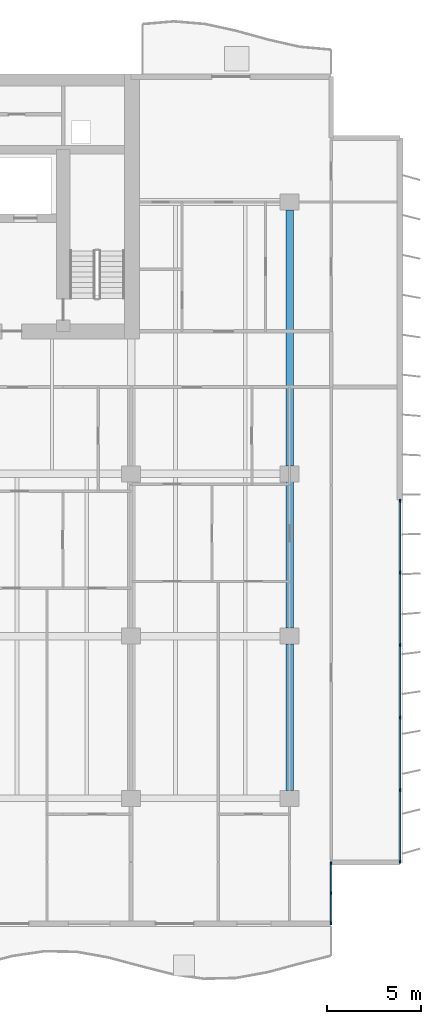
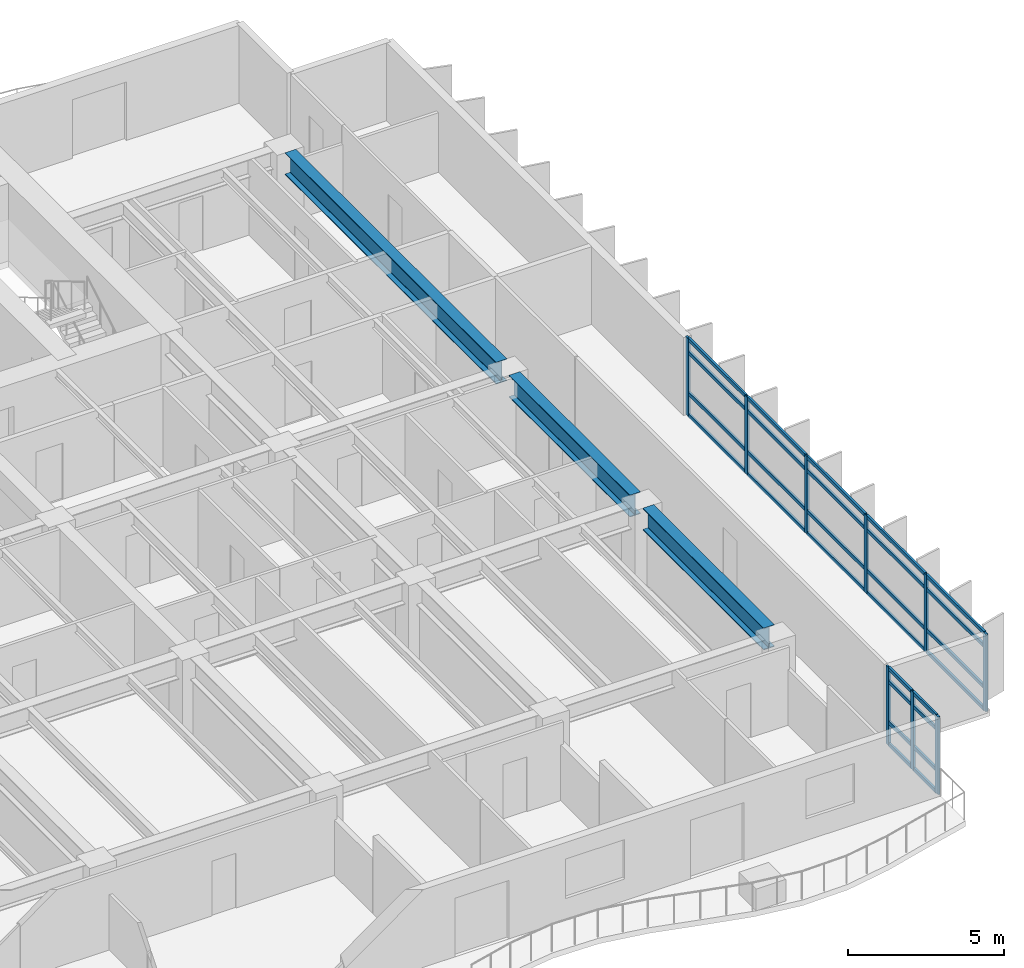
# One storey, part 4 of 15: 37 members, 3 beams, 2 elements without a shape of their own.
"""IFC4 building model written with IfcOpenShell, lengths in metres."""

from ifc_helpers import new_model, si_unit, direction, frame, origin, origin_2d, place, context, subcontext, project, spatial, rectangle, i_section, extrude, material, layer, layer_set, material_profile, profile_set, type_object, element, aggregate, save


model = new_model("IFC4")

# Units and contexts
model_context = context("Model", 3, precision=1e-05, world=origin(), true_north=direction((0.0, 1.0)))
body_context = subcontext(model_context, "Body", "Model", "MODEL_VIEW")
ifc_project = project(units=[si_unit("LENGTHUNIT", "METRE"), si_unit("AREAUNIT", "SQUARE_METRE"), si_unit("VOLUMEUNIT", "CUBIC_METRE"), si_unit("PLANEANGLEUNIT", "RADIAN"), si_unit("MASSUNIT", "GRAM", prefix="KILO")], contexts=[model_context])

# Site, building, storey
site_placement = place(None, origin())
site = spatial("IfcSite", under=ifc_project, at=site_placement, CompositionType="ELEMENT")
building_placement = place(site_placement, origin())
building = spatial("IfcBuilding", under=site, at=building_placement, Name="Caelmar Bay Residences", CompositionType="ELEMENT")
storey_placement = place(building_placement, frame((0.0, 0.0, 138.89990234375)))
storey = spatial("IfcBuildingStorey", under=building, at=storey_placement, Name="L38", CompositionType="ELEMENT", Elevation=138.89990234375)

# Beams
ifc_material_1 = material(Name="Steel ASTM A992 Grade 50", Category="steel")
ifc_material_profile_1 = material_profile(ifc_material_1, i_section(OverallWidth=0.40087890625, OverallDepth=0.861083984375, WebThickness=0.019775390625, FlangeThickness=0.032470703125, FilletRadius=0.017822265625, at=origin_2d()), Name="W33X221")
ifc_profile_set_1 = profile_set([ifc_material_profile_1], Name="Steel ASTM A992 Grade 50")
beam_type = type_object("IfcBeamType", Name="BM-GRD-W33X221", PredefinedType="BEAM", material=ifc_profile_set_1)
for number, where, z_axis, x_axis, name in (
    (1, (67.89990234375, 12.614990234375, 2.61962890625), (0.0, 1.0, 0.0), (-1.0, 0.0, 0.0), "L38 North-South Girder X=67.90 (12.2-20.8)"),
    (2, (67.89990234375, 21.215087890625, 2.61962890625), (0.0, 1.0, 0.0), (-1.0, 0.0, 0.0), "L38 North-South Girder X=67.90 (20.8-29.4)"),
):
    element("IfcBeam", number, at=place(storey_placement, frame(where, z_axis=z_axis, x_axis=x_axis)), inside=storey, type_object=beam_type, Name=name, PredefinedType="BEAM", context=body_context, shape_type="SweptSolid", body=[
        extrude(i_section(OverallWidth=0.40087890625, OverallDepth=0.861083984375, WebThickness=0.019775390625, FlangeThickness=0.032470703125, FilletRadius=0.017822265625, at=origin_2d()), origin(), (0.0, 0.0, 1.0), 7.77001953125),
    ])
beam_placement = place(storey_placement, frame((67.89990234375, 29.81494140625, 2.61962890625), z_axis=(0.0, 1.0, 0.0), x_axis=(-1.0, 0.0, 0.0)))
element("IfcBeam", 3, at=beam_placement, inside=storey, type_object=beam_type, Name="L38 North-South Girder X=67.90 (29.4-43.8)", PredefinedType="BEAM", context=body_context, shape_type="SweptSolid", body=[
    extrude(i_section(OverallWidth=0.40087890625, OverallDepth=0.861083984375, WebThickness=0.019775390625, FlangeThickness=0.032470703125, FilletRadius=0.017822265625, at=origin_2d()), origin(), (0.0, 0.0, 1.0), 13.570068359375),
])

# Curtain wall, members
ifc_material_2 = material(Name="Anodised bronze aluminium 6063-T6 and laminated glass", Category="aluminium")
ifc_layer_1 = layer(ifc_material_2, 0.179931640625)
ifc_layer_set_1 = layer_set([ifc_layer_1], Name="Anodised bronze aluminium 6063-T6 and laminated glass")
curtain_wall_type_1 = type_object("IfcCurtainWallType", Name="CW6-NTC", PredefinedType="NOTDEFINED", material=ifc_layer_set_1)
curtain_wall_1_placement = place(storey_placement, origin())
curtain_wall_1 = element("IfcCurtainWall", 4, at=curtain_wall_1_placement, inside=storey, type_object=curtain_wall_type_1, Name="CW6 curtain wall L38", PredefinedType="NOTDEFINED")
ifc_material_3 = material(Name="Anodised bronze aluminium 6063-T6", Category="aluminium")
ifc_material_profile_2 = material_profile(ifc_material_3, rectangle(XDim=0.080078125, YDim=0.179931640625, at=origin_2d()), Name="CWM-80X180")
ifc_profile_set_2 = profile_set([ifc_material_profile_2], Name="Anodised bronze aluminium 6063-T6")
member_type_1 = type_object("IfcMemberType", Name="CWM-180", PredefinedType="MULLION", material=ifc_profile_set_2)
member_1_placement = place(storey_placement, frame((70.10009765625, 5.590087890625, 0.0), z_axis=(0.0, 0.0, 1.0), x_axis=(-1.0, 0.0, 0.0)))
member_1 = element("IfcMember", 5, at=member_1_placement, type_object=member_type_1, Name="CW6 mullion 1", PredefinedType="MULLION", context=body_context, shape_type="SweptSolid", body=[
    extrude(rectangle(XDim=0.080078125, YDim=0.179931640625, at=origin_2d()), origin(), (0.0, 0.0, 1.0), 3.050048828125),
])
member_2_placement = place(storey_placement, frame((70.10009765625, 7.175048828125, 0.0), z_axis=(0.0, 0.0, 1.0), x_axis=(-1.0, 0.0, 0.0)))
member_2 = element("IfcMember", 6, at=member_2_placement, type_object=member_type_1, Name="CW6 mullion 2", PredefinedType="MULLION", context=body_context, shape_type="SweptSolid", body=[
    extrude(rectangle(XDim=0.080078125, YDim=0.179931640625, at=origin_2d()), origin(), (0.0, 0.0, 1.0), 3.050048828125),
])
member_3_placement = place(storey_placement, frame((70.10009765625, 8.760009765625, 0.0), z_axis=(0.0, 0.0, 1.0), x_axis=(-1.0, 0.0, 0.0)))
member_3 = element("IfcMember", 7, at=member_3_placement, type_object=member_type_1, Name="CW6 mullion 3", PredefinedType="MULLION", context=body_context, shape_type="SweptSolid", body=[
    extrude(rectangle(XDim=0.080078125, YDim=0.179931640625, at=origin_2d()), origin(), (0.0, 0.0, 1.0), 3.050048828125),
])

ifc_layer_2 = layer(ifc_material_2, 0.179931640625)
ifc_layer_set_2 = layer_set([ifc_layer_2], Name="Anodised bronze aluminium 6063-T6 and laminated glass")
curtain_wall_type_2 = type_object("IfcCurtainWallType", Name="CW3-Z2", PredefinedType="NOTDEFINED", material=ifc_layer_set_2)
curtain_wall_2_placement = place(storey_placement, origin())
curtain_wall_2 = element("IfcCurtainWall", 8, at=curtain_wall_2_placement, inside=storey, type_object=curtain_wall_type_2, Name="CW3 curtain wall L38", PredefinedType="NOTDEFINED")
member_4_placement = place(storey_placement, frame((73.75, 27.9599609375, 0.0), z_axis=(0.0, 0.0, 1.0), x_axis=(1.0, 0.0, 0.0)))
member_4 = element("IfcMember", 9, at=member_4_placement, type_object=member_type_1, Name="CW3 mullion 1", PredefinedType="MULLION", context=body_context, shape_type="SweptSolid", body=[
    extrude(rectangle(XDim=0.080078125, YDim=0.179931640625, at=origin_2d()), origin(), (0.0, 0.0, 1.0), 3.050048828125),
])
member_5_placement = place(storey_placement, frame((73.75, 24.159912109375, 0.0), z_axis=(0.0, 0.0, 1.0), x_axis=(1.0, 0.0, 0.0)))
member_5 = element("IfcMember", 10, at=member_5_placement, type_object=member_type_1, Name="CW3 mullion 2", PredefinedType="MULLION", context=body_context, shape_type="SweptSolid", body=[
    extrude(rectangle(XDim=0.080078125, YDim=0.179931640625, at=origin_2d()), origin(), (0.0, 0.0, 1.0), 3.050048828125),
])
member_6_placement = place(storey_placement, frame((73.75, 20.320068359375, 0.0), z_axis=(0.0, 0.0, 1.0), x_axis=(1.0, 0.0, 0.0)))
member_6 = element("IfcMember", 11, at=member_6_placement, type_object=member_type_1, Name="CW3 mullion 3", PredefinedType="MULLION", context=body_context, shape_type="SweptSolid", body=[
    extrude(rectangle(XDim=0.080078125, YDim=0.179931640625, at=origin_2d()), origin(), (0.0, 0.0, 1.0), 3.050048828125),
])
member_7_placement = place(storey_placement, frame((73.75, 16.47998046875, 0.0), z_axis=(0.0, 0.0, 1.0), x_axis=(1.0, 0.0, 0.0)))
member_7 = element("IfcMember", 12, at=member_7_placement, type_object=member_type_1, Name="CW3 mullion 4", PredefinedType="MULLION", context=body_context, shape_type="SweptSolid", body=[
    extrude(rectangle(XDim=0.080078125, YDim=0.179931640625, at=origin_2d()), origin(), (0.0, 0.0, 1.0), 3.050048828125),
])
member_8_placement = place(storey_placement, frame((73.75, 12.639892578125, 0.0), z_axis=(0.0, 0.0, 1.0), x_axis=(1.0, 0.0, 0.0)))
member_8 = element("IfcMember", 13, at=member_8_placement, type_object=member_type_1, Name="CW3 mullion 5", PredefinedType="MULLION", context=body_context, shape_type="SweptSolid", body=[
    extrude(rectangle(XDim=0.080078125, YDim=0.179931640625, at=origin_2d()), origin(), (0.0, 0.0, 1.0), 3.050048828125),
])
member_9_placement = place(storey_placement, frame((73.75, 8.840087890625, 0.0), z_axis=(0.0, 0.0, 1.0), x_axis=(1.0, 0.0, 0.0)))
member_9 = element("IfcMember", 14, at=member_9_placement, type_object=member_type_1, Name="CW3 mullion 6", PredefinedType="MULLION", context=body_context, shape_type="SweptSolid", body=[
    extrude(rectangle(XDim=0.080078125, YDim=0.179931640625, at=origin_2d()), origin(), (0.0, 0.0, 1.0), 3.050048828125),
])

# Member
ifc_material_profile_3 = material_profile(ifc_material_3, rectangle(XDim=0.080078125, YDim=0.139892578125, at=origin_2d()), Name="CWT-80X140")
ifc_profile_set_3 = profile_set([ifc_material_profile_3], Name="Anodised bronze aluminium 6063-T6")
member_type_2 = type_object("IfcMemberType", Name="CWT-140", PredefinedType="NOTDEFINED", material=ifc_profile_set_3)
member_10_placement = place(storey_placement, frame((70.10009765625, 5.6298828125, 0.0400390625), z_axis=(0.0, 1.0, 0.0), x_axis=(-1.0, 0.0, 0.0)))
member_10 = element("IfcMember", 15, at=member_10_placement, type_object=member_type_2, Name="CW6 transom 1.1", ObjectType="TRANSOM", PredefinedType="USERDEFINED", context=body_context, shape_type="SweptSolid", body=[
    extrude(rectangle(XDim=0.080078125, YDim=0.139892578125, at=origin_2d()), origin(), (0.0, 0.0, 1.0), 1.505126953125),
])

member_11_placement = place(storey_placement, frame((70.10009765625, 5.6298828125, 0.900146484375), z_axis=(0.0, 1.0, 0.0), x_axis=(-1.0, 0.0, 0.0)))
member_11 = element("IfcMember", 16, at=member_11_placement, type_object=member_type_2, Name="CW6 transom 1.2", ObjectType="TRANSOM", PredefinedType="USERDEFINED", context=body_context, shape_type="SweptSolid", body=[
    extrude(rectangle(XDim=0.080078125, YDim=0.139892578125, at=origin_2d()), origin(), (0.0, 0.0, 1.0), 1.505126953125),
])

member_12_placement = place(storey_placement, frame((70.10009765625, 5.6298828125, 2.5), z_axis=(0.0, 1.0, 0.0), x_axis=(-1.0, 0.0, 0.0)))
member_12 = element("IfcMember", 17, at=member_12_placement, type_object=member_type_2, Name="CW6 transom 1.3", ObjectType="TRANSOM", PredefinedType="USERDEFINED", context=body_context, shape_type="SweptSolid", body=[
    extrude(rectangle(XDim=0.080078125, YDim=0.139892578125, at=origin_2d()), origin(), (0.0, 0.0, 1.0), 1.505126953125),
])

member_13_placement = place(storey_placement, frame((70.10009765625, 5.6298828125, 3.010009765625), z_axis=(0.0, 1.0, 0.0), x_axis=(-1.0, 0.0, 0.0)))
member_13 = element("IfcMember", 18, at=member_13_placement, type_object=member_type_2, Name="CW6 transom 1.4", ObjectType="TRANSOM", PredefinedType="USERDEFINED", context=body_context, shape_type="SweptSolid", body=[
    extrude(rectangle(XDim=0.080078125, YDim=0.139892578125, at=origin_2d()), origin(), (0.0, 0.0, 1.0), 1.505126953125),
])

member_14_placement = place(storey_placement, frame((70.10009765625, 7.215087890625, 0.0400390625), z_axis=(0.0, 1.0, 0.0), x_axis=(-1.0, 0.0, 0.0)))
member_14 = element("IfcMember", 19, at=member_14_placement, type_object=member_type_2, Name="CW6 transom 2.1", ObjectType="TRANSOM", PredefinedType="USERDEFINED", context=body_context, shape_type="SweptSolid", body=[
    extrude(rectangle(XDim=0.080078125, YDim=0.139892578125, at=origin_2d()), origin(), (0.0, 0.0, 1.0), 1.5048828125),
])

member_15_placement = place(storey_placement, frame((70.10009765625, 7.215087890625, 0.900146484375), z_axis=(0.0, 1.0, 0.0), x_axis=(-1.0, 0.0, 0.0)))
member_15 = element("IfcMember", 20, at=member_15_placement, type_object=member_type_2, Name="CW6 transom 2.2", ObjectType="TRANSOM", PredefinedType="USERDEFINED", context=body_context, shape_type="SweptSolid", body=[
    extrude(rectangle(XDim=0.080078125, YDim=0.139892578125, at=origin_2d()), origin(), (0.0, 0.0, 1.0), 1.5048828125),
])

member_16_placement = place(storey_placement, frame((70.10009765625, 7.215087890625, 2.5), z_axis=(0.0, 1.0, 0.0), x_axis=(-1.0, 0.0, 0.0)))
member_16 = element("IfcMember", 21, at=member_16_placement, type_object=member_type_2, Name="CW6 transom 2.3", ObjectType="TRANSOM", PredefinedType="USERDEFINED", context=body_context, shape_type="SweptSolid", body=[
    extrude(rectangle(XDim=0.080078125, YDim=0.139892578125, at=origin_2d()), origin(), (0.0, 0.0, 1.0), 1.5048828125),
])

member_17_placement = place(storey_placement, frame((70.10009765625, 7.215087890625, 3.010009765625), z_axis=(0.0, 1.0, 0.0), x_axis=(-1.0, 0.0, 0.0)))
member_17 = element("IfcMember", 22, at=member_17_placement, type_object=member_type_2, Name="CW6 transom 2.4", ObjectType="TRANSOM", PredefinedType="USERDEFINED", context=body_context, shape_type="SweptSolid", body=[
    extrude(rectangle(XDim=0.080078125, YDim=0.139892578125, at=origin_2d()), origin(), (0.0, 0.0, 1.0), 1.5048828125),
])

aggregate(curtain_wall_1, [member_1, member_2, member_3, member_10, member_11, member_12, member_13, member_14, member_15, member_16, member_17])

member_18_placement = place(storey_placement, frame((73.75, 27.919921875, 0.0400390625), z_axis=(0.0, -1.0, 0.0), x_axis=(1.0, 0.0, 0.0)))
member_18 = element("IfcMember", 23, at=member_18_placement, type_object=member_type_2, Name="CW3 transom 1.1", ObjectType="TRANSOM", PredefinedType="USERDEFINED", context=body_context, shape_type="SweptSolid", body=[
    extrude(rectangle(XDim=0.080078125, YDim=0.139892578125, at=origin_2d()), origin(), (0.0, 0.0, 1.0), 3.719970703125),
])

member_19_placement = place(storey_placement, frame((73.75, 27.919921875, 0.900146484375), z_axis=(0.0, -1.0, 0.0), x_axis=(1.0, 0.0, 0.0)))
member_19 = element("IfcMember", 24, at=member_19_placement, type_object=member_type_2, Name="CW3 transom 1.2", ObjectType="TRANSOM", PredefinedType="USERDEFINED", context=body_context, shape_type="SweptSolid", body=[
    extrude(rectangle(XDim=0.080078125, YDim=0.139892578125, at=origin_2d()), origin(), (0.0, 0.0, 1.0), 3.719970703125),
])

member_20_placement = place(storey_placement, frame((73.75, 27.919921875, 2.5), z_axis=(0.0, -1.0, 0.0), x_axis=(1.0, 0.0, 0.0)))
member_20 = element("IfcMember", 25, at=member_20_placement, type_object=member_type_2, Name="CW3 transom 1.3", ObjectType="TRANSOM", PredefinedType="USERDEFINED", context=body_context, shape_type="SweptSolid", body=[
    extrude(rectangle(XDim=0.080078125, YDim=0.139892578125, at=origin_2d()), origin(), (0.0, 0.0, 1.0), 3.719970703125),
])

member_21_placement = place(storey_placement, frame((73.75, 27.919921875, 3.010009765625), z_axis=(0.0, -1.0, 0.0), x_axis=(1.0, 0.0, 0.0)))
member_21 = element("IfcMember", 26, at=member_21_placement, type_object=member_type_2, Name="CW3 transom 1.4", ObjectType="TRANSOM", PredefinedType="USERDEFINED", context=body_context, shape_type="SweptSolid", body=[
    extrude(rectangle(XDim=0.080078125, YDim=0.139892578125, at=origin_2d()), origin(), (0.0, 0.0, 1.0), 3.719970703125),
])

member_22_placement = place(storey_placement, frame((73.75, 24.1201171875, 0.0400390625), z_axis=(0.0, -1.0, 0.0), x_axis=(1.0, 0.0, 0.0)))
member_22 = element("IfcMember", 27, at=member_22_placement, type_object=member_type_2, Name="CW3 transom 2.1", ObjectType="TRANSOM", PredefinedType="USERDEFINED", context=body_context, shape_type="SweptSolid", body=[
    extrude(rectangle(XDim=0.080078125, YDim=0.139892578125, at=origin_2d()), origin(), (0.0, 0.0, 1.0), 3.760009765625),
])

member_23_placement = place(storey_placement, frame((73.75, 24.1201171875, 0.900146484375), z_axis=(0.0, -1.0, 0.0), x_axis=(1.0, 0.0, 0.0)))
member_23 = element("IfcMember", 28, at=member_23_placement, type_object=member_type_2, Name="CW3 transom 2.2", ObjectType="TRANSOM", PredefinedType="USERDEFINED", context=body_context, shape_type="SweptSolid", body=[
    extrude(rectangle(XDim=0.080078125, YDim=0.139892578125, at=origin_2d()), origin(), (0.0, 0.0, 1.0), 3.760009765625),
])

member_24_placement = place(storey_placement, frame((73.75, 24.1201171875, 2.5), z_axis=(0.0, -1.0, 0.0), x_axis=(1.0, 0.0, 0.0)))
member_24 = element("IfcMember", 29, at=member_24_placement, type_object=member_type_2, Name="CW3 transom 2.3", ObjectType="TRANSOM", PredefinedType="USERDEFINED", context=body_context, shape_type="SweptSolid", body=[
    extrude(rectangle(XDim=0.080078125, YDim=0.139892578125, at=origin_2d()), origin(), (0.0, 0.0, 1.0), 3.760009765625),
])

member_25_placement = place(storey_placement, frame((73.75, 24.1201171875, 3.010009765625), z_axis=(0.0, -1.0, 0.0), x_axis=(1.0, 0.0, 0.0)))
member_25 = element("IfcMember", 30, at=member_25_placement, type_object=member_type_2, Name="CW3 transom 2.4", ObjectType="TRANSOM", PredefinedType="USERDEFINED", context=body_context, shape_type="SweptSolid", body=[
    extrude(rectangle(XDim=0.080078125, YDim=0.139892578125, at=origin_2d()), origin(), (0.0, 0.0, 1.0), 3.760009765625),
])

member_26_placement = place(storey_placement, frame((73.75, 20.280029296875, 0.0400390625), z_axis=(0.0, -1.0, 0.0), x_axis=(1.0, 0.0, 0.0)))
member_26 = element("IfcMember", 31, at=member_26_placement, type_object=member_type_2, Name="CW3 transom 3.1", ObjectType="TRANSOM", PredefinedType="USERDEFINED", context=body_context, shape_type="SweptSolid", body=[
    extrude(rectangle(XDim=0.080078125, YDim=0.139892578125, at=origin_2d()), origin(), (0.0, 0.0, 1.0), 3.760009765625),
])

member_27_placement = place(storey_placement, frame((73.75, 20.280029296875, 0.900146484375), z_axis=(0.0, -1.0, 0.0), x_axis=(1.0, 0.0, 0.0)))
member_27 = element("IfcMember", 32, at=member_27_placement, type_object=member_type_2, Name="CW3 transom 3.2", ObjectType="TRANSOM", PredefinedType="USERDEFINED", context=body_context, shape_type="SweptSolid", body=[
    extrude(rectangle(XDim=0.080078125, YDim=0.139892578125, at=origin_2d()), origin(), (0.0, 0.0, 1.0), 3.760009765625),
])

member_28_placement = place(storey_placement, frame((73.75, 20.280029296875, 2.5), z_axis=(0.0, -1.0, 0.0), x_axis=(1.0, 0.0, 0.0)))
member_28 = element("IfcMember", 33, at=member_28_placement, type_object=member_type_2, Name="CW3 transom 3.3", ObjectType="TRANSOM", PredefinedType="USERDEFINED", context=body_context, shape_type="SweptSolid", body=[
    extrude(rectangle(XDim=0.080078125, YDim=0.139892578125, at=origin_2d()), origin(), (0.0, 0.0, 1.0), 3.760009765625),
])

member_29_placement = place(storey_placement, frame((73.75, 20.280029296875, 3.010009765625), z_axis=(0.0, -1.0, 0.0), x_axis=(1.0, 0.0, 0.0)))
member_29 = element("IfcMember", 34, at=member_29_placement, type_object=member_type_2, Name="CW3 transom 3.4", ObjectType="TRANSOM", PredefinedType="USERDEFINED", context=body_context, shape_type="SweptSolid", body=[
    extrude(rectangle(XDim=0.080078125, YDim=0.139892578125, at=origin_2d()), origin(), (0.0, 0.0, 1.0), 3.760009765625),
])

member_30_placement = place(storey_placement, frame((73.75, 16.43994140625, 0.0400390625), z_axis=(0.0, -1.0, 0.0), x_axis=(1.0, 0.0, 0.0)))
member_30 = element("IfcMember", 35, at=member_30_placement, type_object=member_type_2, Name="CW3 transom 4.1", ObjectType="TRANSOM", PredefinedType="USERDEFINED", context=body_context, shape_type="SweptSolid", body=[
    extrude(rectangle(XDim=0.080078125, YDim=0.139892578125, at=origin_2d()), origin(), (0.0, 0.0, 1.0), 3.760009765625),
])

member_31_placement = place(storey_placement, frame((73.75, 16.43994140625, 0.900146484375), z_axis=(0.0, -1.0, 0.0), x_axis=(1.0, 0.0, 0.0)))
member_31 = element("IfcMember", 36, at=member_31_placement, type_object=member_type_2, Name="CW3 transom 4.2", ObjectType="TRANSOM", PredefinedType="USERDEFINED", context=body_context, shape_type="SweptSolid", body=[
    extrude(rectangle(XDim=0.080078125, YDim=0.139892578125, at=origin_2d()), origin(), (0.0, 0.0, 1.0), 3.760009765625),
])

member_32_placement = place(storey_placement, frame((73.75, 16.43994140625, 2.5), z_axis=(0.0, -1.0, 0.0), x_axis=(1.0, 0.0, 0.0)))
member_32 = element("IfcMember", 37, at=member_32_placement, type_object=member_type_2, Name="CW3 transom 4.3", ObjectType="TRANSOM", PredefinedType="USERDEFINED", context=body_context, shape_type="SweptSolid", body=[
    extrude(rectangle(XDim=0.080078125, YDim=0.139892578125, at=origin_2d()), origin(), (0.0, 0.0, 1.0), 3.760009765625),
])

member_33_placement = place(storey_placement, frame((73.75, 16.43994140625, 3.010009765625), z_axis=(0.0, -1.0, 0.0), x_axis=(1.0, 0.0, 0.0)))
member_33 = element("IfcMember", 38, at=member_33_placement, type_object=member_type_2, Name="CW3 transom 4.4", ObjectType="TRANSOM", PredefinedType="USERDEFINED", context=body_context, shape_type="SweptSolid", body=[
    extrude(rectangle(XDim=0.080078125, YDim=0.139892578125, at=origin_2d()), origin(), (0.0, 0.0, 1.0), 3.760009765625),
])

member_34_placement = place(storey_placement, frame((73.75, 12.60009765625, 0.0400390625), z_axis=(0.0, -1.0, 0.0), x_axis=(1.0, 0.0, 0.0)))
member_34 = element("IfcMember", 39, at=member_34_placement, type_object=member_type_2, Name="CW3 transom 5.1", ObjectType="TRANSOM", PredefinedType="USERDEFINED", context=body_context, shape_type="SweptSolid", body=[
    extrude(rectangle(XDim=0.080078125, YDim=0.139892578125, at=origin_2d()), origin(), (0.0, 0.0, 1.0), 3.72021484375),
])

member_35_placement = place(storey_placement, frame((73.75, 12.60009765625, 0.900146484375), z_axis=(0.0, -1.0, 0.0), x_axis=(1.0, 0.0, 0.0)))
member_35 = element("IfcMember", 40, at=member_35_placement, type_object=member_type_2, Name="CW3 transom 5.2", ObjectType="TRANSOM", PredefinedType="USERDEFINED", context=body_context, shape_type="SweptSolid", body=[
    extrude(rectangle(XDim=0.080078125, YDim=0.139892578125, at=origin_2d()), origin(), (0.0, 0.0, 1.0), 3.72021484375),
])

member_36_placement = place(storey_placement, frame((73.75, 12.60009765625, 2.5), z_axis=(0.0, -1.0, 0.0), x_axis=(1.0, 0.0, 0.0)))
member_36 = element("IfcMember", 41, at=member_36_placement, type_object=member_type_2, Name="CW3 transom 5.3", ObjectType="TRANSOM", PredefinedType="USERDEFINED", context=body_context, shape_type="SweptSolid", body=[
    extrude(rectangle(XDim=0.080078125, YDim=0.139892578125, at=origin_2d()), origin(), (0.0, 0.0, 1.0), 3.72021484375),
])

member_37_placement = place(storey_placement, frame((73.75, 12.60009765625, 3.010009765625), z_axis=(0.0, -1.0, 0.0), x_axis=(1.0, 0.0, 0.0)))
member_37 = element("IfcMember", 42, at=member_37_placement, type_object=member_type_2, Name="CW3 transom 5.4", ObjectType="TRANSOM", PredefinedType="USERDEFINED", context=body_context, shape_type="SweptSolid", body=[
    extrude(rectangle(XDim=0.080078125, YDim=0.139892578125, at=origin_2d()), origin(), (0.0, 0.0, 1.0), 3.72021484375),
])

aggregate(curtain_wall_2, [member_4, member_5, member_6, member_7, member_8, member_9, member_18, member_19, member_20, member_21, member_22, member_23, member_24, member_25, member_26, member_27, member_28, member_29, member_30, member_31, member_32, member_33, member_34, member_35, member_36, member_37])

save(model, "model.ifc")
